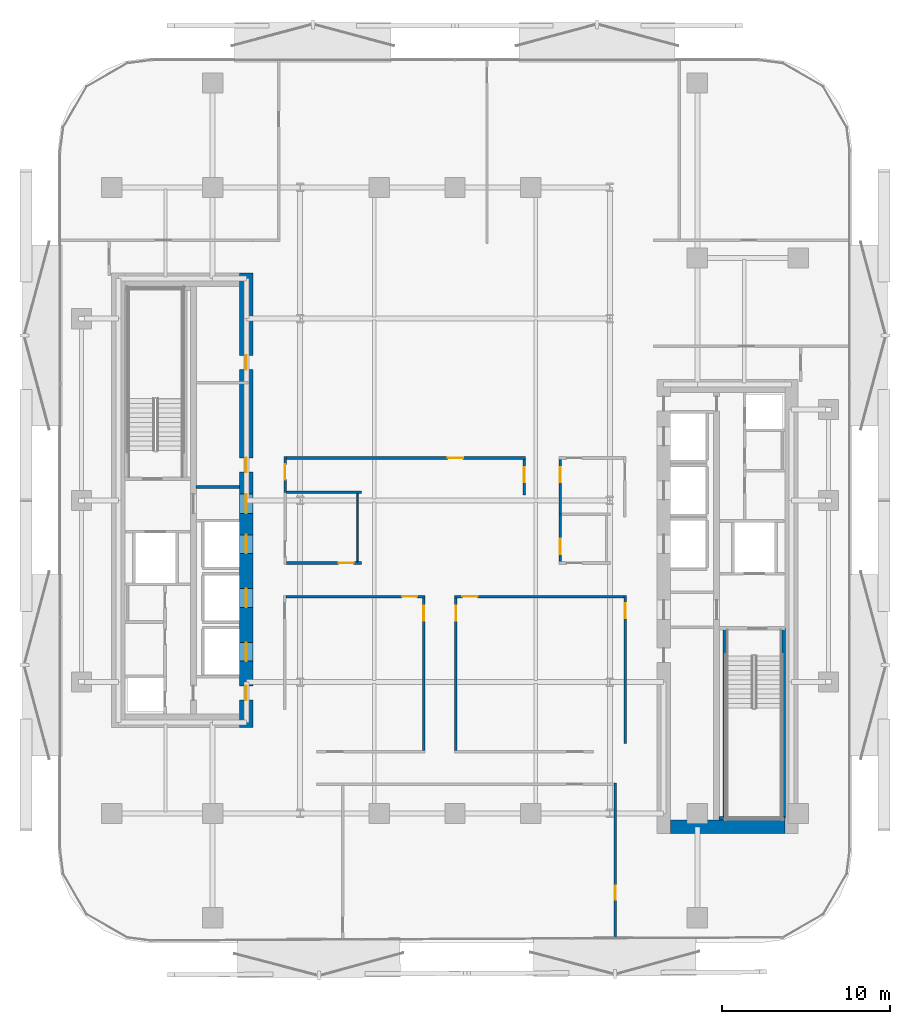
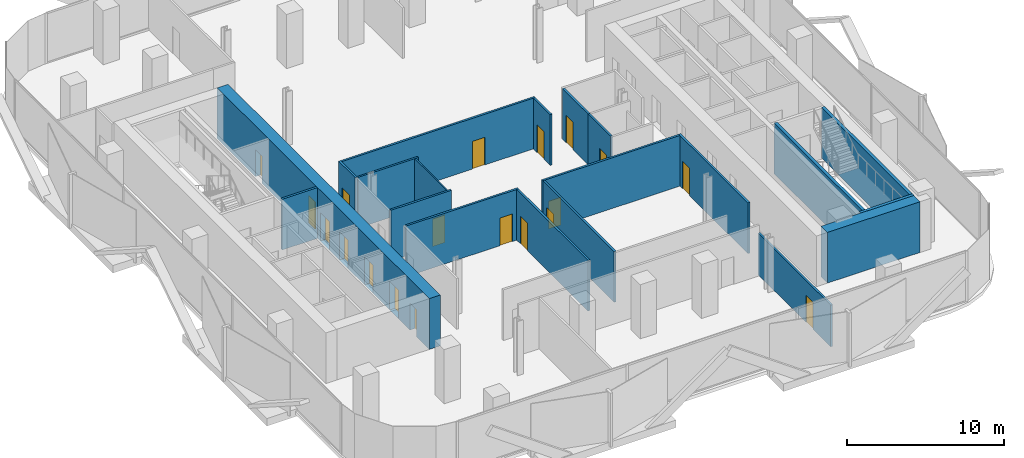
# One storey, part 4 of 15: 20 walls, 19 doors, 19 openings.
"""IFC4 building model written with IfcOpenShell, lengths in metres."""

import ifcopenshell
import ifcopenshell.guid

model = None  # the IFC model being written
_history = None  # IfcOwnerHistory: only IFC2X3 demands one
_inside = {}  # id of a spatial element -> (the spatial element, [elements in it])
_under = {}  # id of a project, library or spatial element -> (it, [spatial elements below it])
_declared = {}  # id of a project -> (the project, [libraries it declares])
_typed = {}  # id of a type object -> (the type object, [elements of that type])
_made_of = {}  # id of a material, layer set ... -> (it, [elements and type objects made of it])


def new_model(schema):
    """Start an empty IFC model of exactly this schema.

    Asked for "IFC4X3", IfcOpenShell would pick the latest addendum, in which some entities
    have other attributes; the version numbers below select the first issue.
    IFC2X3 requires an IfcOwnerHistory on every rooted entity: one is made here for all.
    """
    global model, _history
    if schema == "IFC4X3":
        model = ifcopenshell.file(schema_version=(4, 3, 0, 0))
    else:
        model = ifcopenshell.file(schema=schema)
    _inside.clear()
    _under.clear()
    _declared.clear()
    _typed.clear()
    _made_of.clear()
    _history = None
    if model.schema == "IFC2X3":
        org = make("IfcOrganization", Name="unknown")
        user = make(
            "IfcPersonAndOrganization",
            ThePerson=make("IfcPerson", FamilyName="unknown"),
            TheOrganization=org,
        )
        app = make(
            "IfcApplication",
            ApplicationDeveloper=org,
            Version="unknown",
            ApplicationFullName="unknown",
            ApplicationIdentifier="unknown",
        )
        _history = make(
            "IfcOwnerHistory",
            OwningUser=user,
            OwningApplication=app,
            ChangeAction="ADDED",
            CreationDate=0,
        )
    return model


def make(cls, **values):
    """One entity of the class cls with the attributes given. An attribute that is None is left unset."""
    return model.create_entity(
        cls, **{name: value for name, value in values.items() if value is not None}
    )


def rooted(cls, **values):
    """An entity with a GlobalId (a new one), such as an element, a storey or a relation."""
    return make(cls, GlobalId=ifcopenshell.guid.new(), OwnerHistory=_history, **values)


def si_unit(unit_type, name, prefix=None):
    """IfcSIUnit, for example si_unit("LENGTHUNIT", "METRE", prefix="MILLI")."""
    return make("IfcSIUnit", UnitType=unit_type, Prefix=prefix, Name=name)


def assignment(units):
    """IfcUnitAssignment: the units of a project."""
    return None if units is None else make("IfcUnitAssignment", Units=units)


def point(xyz):
    """IfcCartesianPoint."""
    return None if xyz is None else make("IfcCartesianPoint", Coordinates=xyz)


def direction(xyz):
    """IfcDirection."""
    return None if xyz is None else make("IfcDirection", DirectionRatios=xyz)


def frame(location, z_axis=None, x_axis=None):
    """IfcAxis2Placement3D, a coordinate frame: its origin and axes. An axis left out is left unset."""
    return make(
        "IfcAxis2Placement3D",
        Location=point(location),
        Axis=direction(z_axis),
        RefDirection=direction(x_axis),
    )


def frame_2d(location, x_axis=None):
    """IfcAxis2Placement2D, a coordinate frame in the plane: its origin and x axis."""
    return make(
        "IfcAxis2Placement2D", Location=point(location), RefDirection=direction(x_axis)
    )


def origin():
    """The frame at (0, 0, 0) with its axes left unset."""
    return frame((0.0, 0.0, 0.0))


def place(relative_to, where):
    """IfcLocalPlacement: puts the frame where relative to a parent placement (None: the world)."""
    return make(
        "IfcLocalPlacement", PlacementRelTo=relative_to, RelativePlacement=where
    )


def context(
    kind, dimensions, precision=None, world=None, true_north=None, identifier=None
):
    """IfcGeometricRepresentationContext, for example the 3D "Model" context."""
    return make(
        "IfcGeometricRepresentationContext",
        ContextIdentifier=identifier,
        ContextType=kind,
        CoordinateSpaceDimension=dimensions,
        Precision=precision,
        WorldCoordinateSystem=world,
        TrueNorth=true_north,
    )


def subcontext(parent, identifier, kind, view, scale=None):
    """IfcGeometricRepresentationSubContext, for example "Body" below "Model"."""
    return make(
        "IfcGeometricRepresentationSubContext",
        ContextIdentifier=identifier,
        ContextType=kind,
        ParentContext=parent,
        TargetScale=scale,
        TargetView=view,
    )


def project(units=None, contexts=None):
    """IfcProject with its units and contexts."""
    return rooted(
        "IfcProject",
        Name="project",
        RepresentationContexts=contexts,
        UnitsInContext=assignment(units),
    )


def spatial(cls, under=None, at=None, **own):
    """A site, building, storey or space (cls), placed at a placement, below another one or the project."""
    s = rooted(cls, ObjectPlacement=at, **own)
    if under is not None:
        _under.setdefault(under.id(), (under, []))[1].append(s)
    return s


def profile(cls, at=None, kind="AREA", **sizes):
    """A parametric profile (cls). Its sizes go by their IFC names, for example OverallWidth=200.0."""
    return make(cls, ProfileType=kind, Position=at, **sizes)


def rectangle(**sizes):
    """IfcRectangleProfileDef."""
    return profile("IfcRectangleProfileDef", **sizes)


def extrude(swept, where, along, depth):
    """IfcExtrudedAreaSolid: the profile swept, set in the frame where, extruded along a direction by depth."""
    return make(
        "IfcExtrudedAreaSolid",
        SweptArea=swept,
        Position=where,
        ExtrudedDirection=direction(along),
        Depth=depth,
    )


def shape(context_of_items, identifier, shape_type, items):
    """IfcShapeRepresentation: the items that make up one representation, for example the "Body"."""
    return make(
        "IfcShapeRepresentation",
        ContextOfItems=context_of_items,
        RepresentationIdentifier=identifier,
        RepresentationType=shape_type,
        Items=items,
    )


def material(Name=None, Category=None):
    """IfcMaterial."""
    return make("IfcMaterial", Name=Name, Category=Category)


def layer(
    of_material, thickness, ventilated=None, Name=None, Category=None, Priority=None
):
    """IfcMaterialLayer: one layer of a wall or slab, of a material (None: an air gap)."""
    return make(
        "IfcMaterialLayer",
        Material=of_material,
        LayerThickness=thickness,
        IsVentilated=ventilated,
        Name=Name,
        Category=Category,
        Priority=Priority,
    )


def layer_set(layers, Name=None):
    """IfcMaterialLayerSet."""
    return make("IfcMaterialLayerSet", MaterialLayers=layers, LayerSetName=Name)


def made_of(thing, what):
    """Note that an element or type object is made of a material, layer set ...; save() writes the relation."""
    if what is not None:
        _made_of.setdefault(what.id(), (what, []))[1].append(thing)
    return thing


def type_object(cls, material=None, **own):
    """A type object (cls), such as IfcWallType, which elements share."""
    return made_of(rooted(cls, **own), material)


def element(
    cls,
    number,
    at=None,
    inside=None,
    cuts=None,
    type_object=None,
    material=None,
    context=None,
    identifier="Body",
    shape_type=None,
    held_by="IfcProductDefinitionShape",
    body=None,
    shapes=None,
    **own,
):
    """One element of the class cls, such as IfcWall. Its Tag is "e" and its number.

    at: its placement. inside: the storey or other place that contains it. cuts: it is an
    opening in that element (IfcRelVoidsElement). A single representation is given by context,
    identifier, shape_type and body (its items); several are given by shapes. held_by: the class
    of the entity that holds the representations. save() writes the other relations.
    """
    e = rooted(cls, Tag="e%d" % number, ObjectPlacement=at, **own)
    if body is not None:
        shapes = [shape(context, identifier, shape_type, body)]
    if shapes is not None:
        e.Representation = make(held_by, Representations=shapes)
    if inside is not None:
        _inside.setdefault(inside.id(), (inside, []))[1].append(e)
    if cuts is not None:
        rooted(
            "IfcRelVoidsElement", RelatingBuildingElement=cuts, RelatedOpeningElement=e
        )
    if type_object is not None:
        _typed.setdefault(type_object.id(), (type_object, []))[1].append(e)
    return made_of(e, material)


def fill(opening, filler):
    """IfcRelFillsElement: the door or window that sits in an opening."""
    return rooted(
        "IfcRelFillsElement",
        RelatingOpeningElement=opening,
        RelatedBuildingElement=filler,
    )


def aggregate(whole, parts):
    """IfcRelAggregates: a whole, such as a stair, and the parts it consists of."""
    return rooted("IfcRelAggregates", RelatingObject=whole, RelatedObjects=parts)


def save(model, path):
    """Write the relations noted so far, then the file.

    IfcRelAggregates (storeys below a building ...), IfcRelContainedInSpatialStructure (elements
    in a storey), IfcRelDefinesByType, IfcRelAssociatesMaterial and IfcRelDeclares: one each for
    every whole, place, type object, material and project.
    """
    for whole, parts in _under.values():
        aggregate(whole, parts)
    for where, things in _inside.values():
        rooted(
            "IfcRelContainedInSpatialStructure",
            RelatedElements=things,
            RelatingStructure=where,
        )
    for kind, things in _typed.values():
        rooted("IfcRelDefinesByType", RelatedObjects=things, RelatingType=kind)
    for what, things in _made_of.values():
        rooted("IfcRelAssociatesMaterial", RelatedObjects=things, RelatingMaterial=what)
    for by, libraries in _declared.values():
        rooted("IfcRelDeclares", RelatingContext=by, RelatedDefinitions=libraries)
    model.write(path)


model = new_model("IFC4")

# Units and contexts
model_context = context("Model", 3, precision=1e-05, world=origin(), true_north=direction((0.0, 1.0)))
body_context = subcontext(model_context, "Body", "Model", "MODEL_VIEW")
ifc_project = project(units=[si_unit("LENGTHUNIT", "METRE"), si_unit("AREAUNIT", "SQUARE_METRE"), si_unit("VOLUMEUNIT", "CUBIC_METRE"), si_unit("PLANEANGLEUNIT", "RADIAN"), si_unit("MASSUNIT", "GRAM", prefix="KILO")], contexts=[model_context])

# Site, building, storey
site_placement = place(None, origin())
site = spatial("IfcSite", under=ifc_project, at=site_placement, CompositionType="ELEMENT")
building_placement = place(site_placement, origin())
building = spatial("IfcBuilding", under=site, at=building_placement, Name="Khairoan Windgate Tower", CompositionType="ELEMENT")
storey_placement = place(building_placement, frame((0.0, 0.0, 126.800048828125)))
storey = spatial("IfcBuildingStorey", under=building, at=storey_placement, Name="L29", CompositionType="ELEMENT", Elevation=126.800048828125)

# Walls
ifc_material_1 = material(Name="Moisture-Resistant Gypsum Partition", Category="gypsum")
ifc_layer_1 = layer(ifc_material_1, 0.10009765625, Name="Moisture-Resistant Gypsum Partition")
ifc_layer_set_1 = layer_set([ifc_layer_1], Name="Moisture-Resistant Gypsum Partition")
wall_type_1 = type_object("IfcWallType", Name="Bathroom Wet-Area Partition Wall", PredefinedType="PARTITIONING", material=ifc_layer_set_1)
wall_1_placement = place(storey_placement, frame((-5.800048828125, 0.409912109375, 0.0), z_axis=(0.0, 0.0, 1.0), x_axis=(0.0, -1.0, 0.0)))
element("IfcWall", 1, at=wall_1_placement, inside=storey, type_object=wall_type_1, Name="L29 Wet Room Side Wall 051", PredefinedType="PARTITIONING", context=body_context, shape_type="SweptSolid", body=[
    extrude(rectangle(XDim=4.054931640625, YDim=0.10009765625, at=frame_2d((2.02734375, 0.0))), origin(), (0.0, 0.0, 1.0), 3.93994140625),
])
ifc_material_2 = material(Name="Concrete C40/50", Category="concrete")
ifc_layer_2 = layer(ifc_material_2, 0.159912109375, Name="Concrete C40/50")
ifc_layer_set_2 = layer_set([ifc_layer_2], Name="Concrete C40/50")
wall_type_2 = type_object("IfcWallType", Name="Core and Hoistway Enclosure Wall", PredefinedType="STANDARD", material=ifc_layer_set_2)
wall_2_placement = place(storey_placement, frame((-15.39990234375, 0.800048828125, 0.0), z_axis=(0.0, 0.0, 1.0), x_axis=(1.0, 0.0, 0.0)))
element("IfcWall", 2, at=wall_2_placement, inside=storey, type_object=wall_type_2, Name="L29 Core Shaft Wall SW-WV1-L29", PredefinedType="STANDARD", context=body_context, shape_type="SweptSolid", body=[
    extrude(rectangle(XDim=2.599853515625, YDim=0.159912109375, at=frame_2d((1.2998046875, 0.0))), origin(), (0.0, 0.0, 1.0), 3.93994140625),
])

# Wall, opening, door
ifc_material_3 = material(Name="Acoustic Fire-Rated Gypsum Partition", Category="gypsum")
ifc_layer_3 = layer(ifc_material_3, 0.139892578125, Name="Acoustic Fire-Rated Gypsum Partition")
ifc_layer_set_3 = layer_set([ifc_layer_3], Name="Acoustic Fire-Rated Gypsum Partition")
wall_type_3 = type_object("IfcWallType", Name="Inter-Tenancy Compartment Wall", PredefinedType="PARTITIONING", material=ifc_layer_set_3)
wall_3_placement = place(storey_placement, frame((9.52001953125, -26.02001953125, 0.0), z_axis=(0.0, 0.0, 1.0), x_axis=(0.0, 1.0, 0.0)))
wall_3 = element("IfcWall", 3, at=wall_3_placement, inside=storey, type_object=wall_type_3, Name="L29 Interior Partition 045", PredefinedType="PARTITIONING", context=body_context, shape_type="SweptSolid", body=[
    extrude(rectangle(XDim=9.235107421875, YDim=0.139892578125, at=frame_2d((4.61767578125, 0.0))), origin(), (0.0, 0.0, 1.0), 3.239990234375),
])
opening_1_placement = place(wall_3_placement, frame((2.27587890625, 0.0, 0.0)))
opening_1 = element("IfcOpeningElement", 4, at=opening_1_placement, cuts=wall_3, Name="Opening FD-SRV", PredefinedType="OPENING", context=body_context, shape_type="SweptSolid", body=[
    extrude(rectangle(XDim=0.85009765625, YDim=2.10009765625, at=frame_2d((0.425048828125, 1.050048828125))), frame((0.0, 0.079833984375, 0.0), z_axis=(0.0, -1.0, 0.0), x_axis=(1.0, 0.0, 0.0)), (0.0, 0.0, 1.0), 0.159912109375),
])
ifc_material_4 = material(Name="Steel S355", Category="steel")
door_type_1 = type_object("IfcDoorType", Name="Core Service and Riser Fire Door FD-SRV 850x2100", OperationType="NOTDEFINED", PredefinedType="DOOR", material=ifc_material_4)
door_1_placement = place(opening_1_placement, origin())
door_1 = element("IfcDoor", 5, at=door_1_placement, inside=storey, type_object=door_type_1, Name="L29 L29-45-L29-46 Door", OperationType="SINGLE_SWING_RIGHT", OverallHeight=2.10009765625, OverallWidth=0.85009765625, PredefinedType="DOOR", context=body_context, shape_type="SweptSolid", body=[
    extrude(rectangle(XDim=0.85009765625, YDim=2.10009765625, at=frame_2d((0.425048828125, 1.050048828125))), frame((0.0, 0.02490234375, 0.0), z_axis=(0.0, -1.0, 0.0), x_axis=(1.0, 0.0, 0.0)), (0.0, 0.0, 1.0), 0.050048828125),
])
fill(opening_1, door_1)

# Wall
wall_4_placement = place(storey_placement, frame((-10.02490234375, 0.47998046875, 0.0), z_axis=(0.0, 0.0, 1.0), x_axis=(1.0, 0.0, 0.0)))
element("IfcWall", 6, at=wall_4_placement, inside=storey, type_object=wall_type_3, Name="L29 Interior Partition 047", PredefinedType="PARTITIONING", context=body_context, shape_type="SweptSolid", body=[
    extrude(rectangle(XDim=4.46484375, YDim=0.139892578125, at=frame_2d((2.232421875, 0.0))), origin(), (0.0, 0.0, 1.0), 3.93994140625),
])

# Wall, opening, door
ifc_material_5 = material(Name="Acoustic Fire-Rated Gypsum Partition", Category="gypsum")
ifc_layer_4 = layer(ifc_material_5, 0.14990234375, Name="Acoustic Fire-Rated Gypsum Partition")
ifc_layer_set_4 = layer_set([ifc_layer_4], Name="Acoustic Fire-Rated Gypsum Partition")
wall_type_4 = type_object("IfcWallType", Name="Rated Corridor Partition Wall", PredefinedType="PARTITIONING", material=ifc_layer_set_4)
wall_5_placement = place(storey_placement, frame((-10.10009765625, 0.47998046875, 0.0), z_axis=(0.0, 0.0, 1.0), x_axis=(0.0, 1.0, 0.0)))
wall_5 = element("IfcWall", 7, at=wall_5_placement, inside=storey, type_object=wall_type_4, Name="L29 Interior Partition 014", PredefinedType="PARTITIONING", context=body_context, shape_type="SweptSolid", body=[
    extrude(rectangle(XDim=2.114990234375, YDim=0.14990234375, at=frame_2d((1.0576171875, 0.0))), origin(), (0.0, 0.0, 1.0), 3.93994140625),
])
opening_2_placement = place(wall_5_placement, frame((0.7548828125, 0.0, 0.0)))
opening_2 = element("IfcOpeningElement", 8, at=opening_2_placement, cuts=wall_5, Name="Opening FD-ENT", PredefinedType="OPENING", context=body_context, shape_type="SweptSolid", body=[
    extrude(rectangle(XDim=0.89990234375, YDim=2.14990234375, at=frame_2d((0.449951171875, 1.074951171875))), frame((0.0, 0.0849609375, 0.0), z_axis=(0.0, -1.0, 0.0), x_axis=(1.0, 0.0, 0.0)), (0.0, 0.0, 1.0), 0.169921875),
])
ifc_material_6 = material(Name="Timber Fire-Rated Core", Category="wood")
door_type_2 = type_object("IfcDoorType", Name="Unit and Office Fire Entrance Door FD-ENT 900x2150", OperationType="NOTDEFINED", PredefinedType="DOOR", material=ifc_material_6)
door_2_placement = place(opening_2_placement, origin())
door_2 = element("IfcDoor", 9, at=door_2_placement, inside=storey, type_object=door_type_2, Name="L29 L29-28-L29-50 Door", OperationType="SINGLE_SWING_LEFT", OverallHeight=2.14990234375, OverallWidth=0.89990234375, PredefinedType="DOOR", context=body_context, shape_type="SweptSolid", body=[
    extrude(rectangle(XDim=0.89990234375, YDim=2.14990234375, at=frame_2d((0.449951171875, 1.074951171875))), frame((0.0, 0.02490234375, 0.0), z_axis=(0.0, -1.0, 0.0), x_axis=(1.0, 0.0, 0.0)), (0.0, 0.0, 1.0), 0.050048828125),
])
fill(opening_2, door_2)

wall_6_placement = place(storey_placement, frame((10.125, -14.43994140625, 0.0), z_axis=(0.0, 0.0, 1.0), x_axis=(0.0, 1.0, 0.0)))
wall_6 = element("IfcWall", 10, at=wall_6_placement, inside=storey, type_object=wall_type_4, Name="L29 Interior Partition 017", PredefinedType="PARTITIONING", context=body_context, shape_type="SweptSolid", body=[
    extrude(rectangle(XDim=8.800048828125, YDim=0.14990234375, at=frame_2d((4.39990234375, 0.0))), origin(), (0.0, 0.0, 1.0), 3.93994140625),
])
opening_3_placement = place(wall_6_placement, frame((7.43994140625, 0.0, 0.0)))
opening_3 = element("IfcOpeningElement", 11, at=opening_3_placement, cuts=wall_6, Name="Opening FD-ENT", PredefinedType="OPENING", context=body_context, shape_type="SweptSolid", body=[
    extrude(rectangle(XDim=0.89990234375, YDim=2.14990234375, at=frame_2d((0.449951171875, 1.074951171875))), frame((0.0, 0.0849609375, 0.0), z_axis=(0.0, -1.0, 0.0), x_axis=(1.0, 0.0, 0.0)), (0.0, 0.0, 1.0), 0.169921875),
])
door_3_placement = place(opening_3_placement, origin())
door_3 = element("IfcDoor", 12, at=door_3_placement, inside=storey, type_object=door_type_2, Name="L29 L29-29-L29-52 Door", OperationType="SINGLE_SWING_RIGHT", OverallHeight=2.14990234375, OverallWidth=0.89990234375, PredefinedType="DOOR", context=body_context, shape_type="SweptSolid", body=[
    extrude(rectangle(XDim=0.89990234375, YDim=2.14990234375, at=frame_2d((0.449951171875, 1.074951171875))), frame((0.0, 0.02490234375, 0.0), z_axis=(0.0, -1.0, 0.0), x_axis=(1.0, 0.0, 0.0)), (0.0, 0.0, 1.0), 0.050048828125),
])
fill(opening_3, door_3)

wall_7_placement = place(storey_placement, frame((-10.02490234375, 2.52001953125, 0.0), z_axis=(0.0, 0.0, 1.0), x_axis=(1.0, 0.0, 0.0)))
wall_7 = element("IfcWall", 13, at=wall_7_placement, inside=storey, type_object=wall_type_4, Name="L29 Interior Partition 019", PredefinedType="PARTITIONING", context=body_context, shape_type="SweptSolid", body=[
    extrude(rectangle(XDim=14.219970703125, YDim=0.14990234375, at=frame_2d((7.10986328125, 0.0))), origin(), (0.0, 0.0, 1.0), 3.93994140625),
])
opening_4_placement = place(wall_7_placement, frame((9.607421875, 0.0, 0.0)))
opening_4 = element("IfcOpeningElement", 14, at=opening_4_placement, cuts=wall_7, Name="Opening FD-ENT", PredefinedType="OPENING", context=body_context, shape_type="SweptSolid", body=[
    extrude(rectangle(XDim=0.89990234375, YDim=2.14990234375, at=frame_2d((0.449951171875, 1.074951171875))), frame((0.0, 0.0849609375, 0.0), z_axis=(0.0, -1.0, 0.0), x_axis=(1.0, 0.0, 0.0)), (0.0, 0.0, 1.0), 0.169921875),
])
door_4_placement = place(opening_4_placement, origin())
door_4 = element("IfcDoor", 15, at=door_4_placement, inside=storey, type_object=door_type_2, Name="L29 L29-30-L29-50 Door", OperationType="SINGLE_SWING_RIGHT", OverallHeight=2.14990234375, OverallWidth=0.89990234375, PredefinedType="DOOR", context=body_context, shape_type="SweptSolid", body=[
    extrude(rectangle(XDim=0.89990234375, YDim=2.14990234375, at=frame_2d((0.449951171875, 1.074951171875))), frame((0.0, 0.02490234375, 0.0), z_axis=(0.0, -1.0, 0.0), x_axis=(1.0, 0.0, 0.0)), (0.0, 0.0, 1.0), 0.050048828125),
])
fill(opening_4, door_4)

wall_8_placement = place(storey_placement, frame((-10.02490234375, -3.719970703125, 0.0), z_axis=(0.0, 0.0, 1.0), x_axis=(1.0, 0.0, 0.0)))
wall_8 = element("IfcWall", 16, at=wall_8_placement, inside=storey, type_object=wall_type_4, Name="L29 Interior Partition 021", PredefinedType="PARTITIONING", context=body_context, shape_type="SweptSolid", body=[
    extrude(rectangle(XDim=4.46484375, YDim=0.14990234375, at=frame_2d((2.232421875, 0.0))), origin(), (0.0, 0.0, 1.0), 3.93994140625),
])
opening_5_placement = place(wall_8_placement, frame((3.10498046875, 0.0, 0.0)))
opening_5 = element("IfcOpeningElement", 17, at=opening_5_placement, cuts=wall_8, Name="Opening FD-ENT", PredefinedType="OPENING", context=body_context, shape_type="SweptSolid", body=[
    extrude(rectangle(XDim=0.89990234375, YDim=2.14990234375, at=frame_2d((0.449951171875, 1.074951171875))), frame((0.0, 0.0849609375, 0.0), z_axis=(0.0, -1.0, 0.0), x_axis=(1.0, 0.0, 0.0)), (0.0, 0.0, 1.0), 0.169921875),
])
door_5_placement = place(opening_5_placement, origin())
door_5 = element("IfcDoor", 18, at=door_5_placement, inside=storey, type_object=door_type_2, Name="L29 L29-31-L29-49 Door", OperationType="SINGLE_SWING_RIGHT", OverallHeight=2.14990234375, OverallWidth=0.89990234375, PredefinedType="DOOR", context=body_context, shape_type="SweptSolid", body=[
    extrude(rectangle(XDim=0.89990234375, YDim=2.14990234375, at=frame_2d((0.449951171875, 1.074951171875))), frame((0.0, 0.02490234375, 0.0), z_axis=(0.0, -1.0, 0.0), x_axis=(1.0, 0.0, 0.0)), (0.0, 0.0, 1.0), 0.050048828125),
])
fill(opening_5, door_5)

wall_9_placement = place(storey_placement, frame((-10.050048828125, -5.715087890625, 0.0), z_axis=(0.0, 0.0, 1.0), x_axis=(1.0, 0.0, 0.0)))
wall_9 = element("IfcWall", 19, at=wall_9_placement, inside=storey, type_object=wall_type_4, Name="L29 Interior Partition 022", PredefinedType="PARTITIONING", context=body_context, shape_type="SweptSolid", body=[
    extrude(rectangle(XDim=8.26513671875, YDim=0.14990234375, at=frame_2d((4.132568359375, 0.0))), origin(), (0.0, 0.0, 1.0), 3.93994140625),
])
opening_6_placement = place(wall_9_placement, frame((6.905029296875, 0.0, 0.0)))
opening_6 = element("IfcOpeningElement", 20, at=opening_6_placement, cuts=wall_9, Name="Opening FD-ENT", PredefinedType="OPENING", context=body_context, shape_type="SweptSolid", body=[
    extrude(rectangle(XDim=0.89990234375, YDim=2.14990234375, at=frame_2d((0.449951171875, 1.074951171875))), frame((0.0, 0.0849609375, 0.0), z_axis=(0.0, -1.0, 0.0), x_axis=(1.0, 0.0, 0.0)), (0.0, 0.0, 1.0), 0.169921875),
])
door_6_placement = place(opening_6_placement, origin())
door_6 = element("IfcDoor", 21, at=door_6_placement, inside=storey, type_object=door_type_2, Name="L29 L29-31-L29-51 Door", OperationType="SINGLE_SWING_LEFT", OverallHeight=2.14990234375, OverallWidth=0.89990234375, PredefinedType="DOOR", context=body_context, shape_type="SweptSolid", body=[
    extrude(rectangle(XDim=0.89990234375, YDim=2.14990234375, at=frame_2d((0.449951171875, 1.074951171875))), frame((0.0, 0.02490234375, 0.0), z_axis=(0.0, -1.0, 0.0), x_axis=(1.0, 0.0, 0.0)), (0.0, 0.0, 1.0), 0.050048828125),
])
fill(opening_6, door_6)

wall_10_placement = place(storey_placement, frame((-0.014892578125, -5.715087890625, 0.0), z_axis=(0.0, 0.0, 1.0), x_axis=(1.0, 0.0, 0.0)))
wall_10 = element("IfcWall", 22, at=wall_10_placement, inside=storey, type_object=wall_type_4, Name="L29 Interior Partition 023", PredefinedType="PARTITIONING", context=body_context, shape_type="SweptSolid", body=[
    extrude(rectangle(XDim=10.06494140625, YDim=0.14990234375, at=frame_2d((5.032470703125, 0.0))), origin(), (0.0, 0.0, 1.0), 3.93994140625),
])
opening_7_placement = place(wall_10_placement, frame((0.4599609375, 0.0, 0.0)))
opening_7 = element("IfcOpeningElement", 23, at=opening_7_placement, cuts=wall_10, Name="Opening FD-ENT", PredefinedType="OPENING", context=body_context, shape_type="SweptSolid", body=[
    extrude(rectangle(XDim=0.89990234375, YDim=2.14990234375, at=frame_2d((0.449951171875, 1.074951171875))), frame((0.0, 0.0849609375, 0.0), z_axis=(0.0, -1.0, 0.0), x_axis=(1.0, 0.0, 0.0)), (0.0, 0.0, 1.0), 0.169921875),
])
door_7_placement = place(opening_7_placement, origin())
door_7 = element("IfcDoor", 24, at=door_7_placement, inside=storey, type_object=door_type_2, Name="L29 L29-31-L29-52 Door", OperationType="SINGLE_SWING_RIGHT", OverallHeight=2.14990234375, OverallWidth=0.89990234375, PredefinedType="DOOR", context=body_context, shape_type="SweptSolid", body=[
    extrude(rectangle(XDim=0.89990234375, YDim=2.14990234375, at=frame_2d((0.449951171875, 1.074951171875))), frame((0.0, 0.02490234375, 0.0), z_axis=(0.0, -1.0, 0.0), x_axis=(1.0, 0.0, 0.0)), (0.0, 0.0, 1.0), 0.050048828125),
])
fill(opening_7, door_7)

wall_11_placement = place(storey_placement, frame((6.2548828125, -3.64501953125, 0.0), z_axis=(0.0, 0.0, 1.0), x_axis=(0.0, 1.0, 0.0)))
wall_11 = element("IfcWall", 25, at=wall_11_placement, inside=storey, type_object=wall_type_4, Name="L29 Interior Partition 024", PredefinedType="PARTITIONING", context=body_context, shape_type="SweptSolid", body=[
    extrude(rectangle(XDim=2.824951171875, YDim=0.14990234375, at=frame_2d((1.41259765625, 0.0))), origin(), (0.0, 0.0, 1.0), 3.93994140625),
])
opening_8_placement = place(wall_11_placement, frame((0.4599609375, 0.0, 0.0)))
opening_8 = element("IfcOpeningElement", 26, at=opening_8_placement, cuts=wall_11, Name="Opening FD-ENT", PredefinedType="OPENING", context=body_context, shape_type="SweptSolid", body=[
    extrude(rectangle(XDim=0.89990234375, YDim=2.14990234375, at=frame_2d((0.449951171875, 1.074951171875))), frame((0.0, 0.0849609375, 0.0), z_axis=(0.0, -1.0, 0.0), x_axis=(1.0, 0.0, 0.0)), (0.0, 0.0, 1.0), 0.169921875),
])
door_8_placement = place(opening_8_placement, origin())
door_8 = element("IfcDoor", 27, at=door_8_placement, inside=storey, type_object=door_type_2, Name="L29 L29-32-L29-47 Door", OperationType="SINGLE_SWING_LEFT", OverallHeight=2.14990234375, OverallWidth=0.89990234375, PredefinedType="DOOR", context=body_context, shape_type="SweptSolid", body=[
    extrude(rectangle(XDim=0.89990234375, YDim=2.14990234375, at=frame_2d((0.449951171875, 1.074951171875))), frame((0.0, 0.02490234375, 0.0), z_axis=(0.0, -1.0, 0.0), x_axis=(1.0, 0.0, 0.0)), (0.0, 0.0, 1.0), 0.050048828125),
])
fill(opening_8, door_8)

wall_12_placement = place(storey_placement, frame((6.2548828125, -0.820068359375, 0.0), z_axis=(0.0, 0.0, 1.0), x_axis=(0.0, 1.0, 0.0)))
wall_12 = element("IfcWall", 28, at=wall_12_placement, inside=storey, type_object=wall_type_4, Name="L29 Interior Partition 025", PredefinedType="PARTITIONING", context=body_context, shape_type="SweptSolid", body=[
    extrude(rectangle(XDim=3.26513671875, YDim=0.14990234375, at=frame_2d((1.632568359375, 0.0))), origin(), (0.0, 0.0, 1.0), 3.93994140625),
])
opening_9_placement = place(wall_12_placement, frame((1.905029296875, 0.0, 0.0)))
opening_9 = element("IfcOpeningElement", 29, at=opening_9_placement, cuts=wall_12, Name="Opening FD-ENT", PredefinedType="OPENING", context=body_context, shape_type="SweptSolid", body=[
    extrude(rectangle(XDim=0.89990234375, YDim=2.14990234375, at=frame_2d((0.449951171875, 1.074951171875))), frame((0.0, 0.0849609375, 0.0), z_axis=(0.0, -1.0, 0.0), x_axis=(1.0, 0.0, 0.0)), (0.0, 0.0, 1.0), 0.169921875),
])
door_9_placement = place(opening_9_placement, origin())
door_9 = element("IfcDoor", 30, at=door_9_placement, inside=storey, type_object=door_type_2, Name="L29 L29-32-L29-48 Door", OperationType="SINGLE_SWING_RIGHT", OverallHeight=2.14990234375, OverallWidth=0.89990234375, PredefinedType="DOOR", context=body_context, shape_type="SweptSolid", body=[
    extrude(rectangle(XDim=0.89990234375, YDim=2.14990234375, at=frame_2d((0.449951171875, 1.074951171875))), frame((0.0, 0.02490234375, 0.0), z_axis=(0.0, -1.0, 0.0), x_axis=(1.0, 0.0, 0.0)), (0.0, 0.0, 1.0), 0.050048828125),
])
fill(opening_9, door_9)

wall_13_placement = place(storey_placement, frame((4.1201171875, 0.320068359375, 0.0), z_axis=(0.0, 0.0, 1.0), x_axis=(0.0, 1.0, 0.0)))
wall_13 = element("IfcWall", 31, at=wall_13_placement, inside=storey, type_object=wall_type_4, Name="L29 Interior Partition 026", PredefinedType="PARTITIONING", context=body_context, shape_type="SweptSolid", body=[
    extrude(rectangle(XDim=2.125, YDim=0.14990234375, at=frame_2d((1.0625, 0.0))), origin(), (0.0, 0.0, 1.0), 3.93994140625),
])
opening_10_placement = place(wall_13_placement, frame((0.764892578125, 0.0, 0.0)))
opening_10 = element("IfcOpeningElement", 32, at=opening_10_placement, cuts=wall_13, Name="Opening FD-ENT", PredefinedType="OPENING", context=body_context, shape_type="SweptSolid", body=[
    extrude(rectangle(XDim=0.89990234375, YDim=2.14990234375, at=frame_2d((0.449951171875, 1.074951171875))), frame((0.0, 0.0849609375, 0.0), z_axis=(0.0, -1.0, 0.0), x_axis=(1.0, 0.0, 0.0)), (0.0, 0.0, 1.0), 0.169921875),
])
door_10_placement = place(opening_10_placement, origin())
door_10 = element("IfcDoor", 33, at=door_10_placement, inside=storey, type_object=door_type_2, Name="L29 L29-32-L29-50 Door", OperationType="SINGLE_SWING_LEFT", OverallHeight=2.14990234375, OverallWidth=0.89990234375, PredefinedType="DOOR", context=body_context, shape_type="SweptSolid", body=[
    extrude(rectangle(XDim=0.89990234375, YDim=2.14990234375, at=frame_2d((0.449951171875, 1.074951171875))), frame((0.0, 0.02490234375, 0.0), z_axis=(0.0, -1.0, 0.0), x_axis=(1.0, 0.0, 0.0)), (0.0, 0.0, 1.0), 0.050048828125),
])
fill(opening_10, door_10)

wall_14_placement = place(storey_placement, frame((-1.860107421875, -14.864990234375, 0.0), z_axis=(0.0, 0.0, 1.0), x_axis=(0.0, 1.0, 0.0)))
wall_14 = element("IfcWall", 34, at=wall_14_placement, inside=storey, type_object=wall_type_4, Name="L29 Interior Partition 035", PredefinedType="PARTITIONING", context=body_context, shape_type="SweptSolid", body=[
    extrude(rectangle(XDim=9.074951171875, YDim=0.14990234375, at=frame_2d((4.53759765625, 0.0))), origin(), (0.0, 0.0, 1.0), 3.93994140625),
])
opening_11_placement = place(wall_14_placement, frame((7.715087890625, 0.0, 0.0)))
opening_11 = element("IfcOpeningElement", 35, at=opening_11_placement, cuts=wall_14, Name="Opening FD-ENT", PredefinedType="OPENING", context=body_context, shape_type="SweptSolid", body=[
    extrude(rectangle(XDim=0.89990234375, YDim=2.14990234375, at=frame_2d((0.449951171875, 1.074951171875))), frame((0.0, 0.0849609375, 0.0), z_axis=(0.0, -1.0, 0.0), x_axis=(1.0, 0.0, 0.0)), (0.0, 0.0, 1.0), 0.169921875),
])
door_11_placement = place(opening_11_placement, origin())
door_11 = element("IfcDoor", 36, at=door_11_placement, inside=storey, type_object=door_type_2, Name="L29 L29-36-L29-51 Door", OperationType="SINGLE_SWING_RIGHT", OverallHeight=2.14990234375, OverallWidth=0.89990234375, PredefinedType="DOOR", context=body_context, shape_type="SweptSolid", body=[
    extrude(rectangle(XDim=0.89990234375, YDim=2.14990234375, at=frame_2d((0.449951171875, 1.074951171875))), frame((0.0, 0.02490234375, 0.0), z_axis=(0.0, -1.0, 0.0), x_axis=(1.0, 0.0, 0.0)), (0.0, 0.0, 1.0), 0.050048828125),
])
fill(opening_11, door_11)

wall_15_placement = place(storey_placement, frame((0.06005859375, -14.864990234375, 0.0), z_axis=(0.0, 0.0, 1.0), x_axis=(0.0, 1.0, 0.0)))
wall_15 = element("IfcWall", 37, at=wall_15_placement, inside=storey, type_object=wall_type_4, Name="L29 Interior Partition 036", PredefinedType="PARTITIONING", context=body_context, shape_type="SweptSolid", body=[
    extrude(rectangle(XDim=9.074951171875, YDim=0.14990234375, at=frame_2d((4.53759765625, 0.0))), origin(), (0.0, 0.0, 1.0), 3.93994140625),
])
opening_12_placement = place(wall_15_placement, frame((7.715087890625, 0.0, 0.0)))
opening_12 = element("IfcOpeningElement", 38, at=opening_12_placement, cuts=wall_15, Name="Opening FD-ENT", PredefinedType="OPENING", context=body_context, shape_type="SweptSolid", body=[
    extrude(rectangle(XDim=0.89990234375, YDim=2.14990234375, at=frame_2d((0.449951171875, 1.074951171875))), frame((0.0, 0.0849609375, 0.0), z_axis=(0.0, -1.0, 0.0), x_axis=(1.0, 0.0, 0.0)), (0.0, 0.0, 1.0), 0.169921875),
])
door_12_placement = place(opening_12_placement, origin())
door_12 = element("IfcDoor", 39, at=door_12_placement, inside=storey, type_object=door_type_2, Name="L29 L29-36-L29-52 Door", OperationType="SINGLE_SWING_LEFT", OverallHeight=2.14990234375, OverallWidth=0.89990234375, PredefinedType="DOOR", context=body_context, shape_type="SweptSolid", body=[
    extrude(rectangle(XDim=0.89990234375, YDim=2.14990234375, at=frame_2d((0.449951171875, 1.074951171875))), frame((0.0, 0.02490234375, 0.0), z_axis=(0.0, -1.0, 0.0), x_axis=(1.0, 0.0, 0.0)), (0.0, 0.0, 1.0), 0.050048828125),
])
fill(opening_12, door_12)

# Wall
ifc_material_7 = material(Name="Concrete C70/85", Category="concrete")
ifc_layer_5 = layer(ifc_material_7, 0.800048828125, Name="Concrete C70/85")
ifc_layer_set_5 = layer_set([ifc_layer_5], Name="Concrete C70/85")
wall_type_5 = type_object("IfcWallType", Name="Shear Wall CW-E1 800mm", PredefinedType="SHEAR", material=ifc_layer_set_5)
wall_16_placement = place(storey_placement, frame((12.800048828125, -19.39990234375, 0.0), z_axis=(0.0, 0.0, 1.0), x_axis=(1.0, 0.0, 0.0)))
element("IfcWall", 40, at=wall_16_placement, inside=storey, type_object=wall_type_5, Name="E Core South Shear Wall L29", PredefinedType="SHEAR", context=body_context, shape_type="SweptSolid", body=[
    extrude(rectangle(XDim=6.800048828125, YDim=0.800048828125, at=frame_2d((3.39990234375, 0.0))), origin(), (0.0, 0.0, 1.0), 3.93994140625),
])

# Wall, openings, doors
ifc_material_8 = material(Name="Concrete C70/85", Category="concrete")
ifc_layer_6 = layer(ifc_material_8, 0.800048828125, Name="Concrete C70/85")
ifc_layer_set_6 = layer_set([ifc_layer_6], Name="Concrete C70/85")
wall_type_6 = type_object("IfcWallType", Name="Shear Wall CW-W1 800mm", PredefinedType="SHEAR", material=ifc_layer_set_6)
wall_17_placement = place(storey_placement, frame((-12.39990234375, -13.5, 0.0), z_axis=(0.0, 0.0, 1.0), x_axis=(0.0, 1.0, 0.0)))
wall_17 = element("IfcWall", 41, at=wall_17_placement, inside=storey, type_object=wall_type_6, Name="W Core East Shear Wall L29", PredefinedType="SHEAR", context=body_context, shape_type="SweptSolid", body=[
    extrude(rectangle(XDim=27.0, YDim=0.800048828125, at=frame_2d((13.5, 0.0))), origin(), (0.0, 0.0, 1.0), 3.93994140625),
])
opening_13_placement = place(wall_17_placement, frame((10.35009765625, 0.0, 0.0)))
opening_13 = element("IfcOpeningElement", 42, at=opening_13_placement, cuts=wall_17, Name="Opening LD-PL", PredefinedType="OPENING", context=body_context, shape_type="SweptSolid", body=[
    extrude(rectangle(XDim=1.10009765625, YDim=2.199951171875, at=frame_2d((0.550048828125, 1.10009765625))), frame((0.0, 0.409912109375, 0.0), z_axis=(0.0, -1.0, 0.0), x_axis=(1.0, 0.0, 0.0)), (0.0, 0.0, 1.0), 0.820068359375),
])
opening_14_placement = place(wall_17_placement, frame((7.14990234375, 0.0, 0.0)))
opening_14 = element("IfcOpeningElement", 43, at=opening_14_placement, cuts=wall_17, Name="Opening LD-PL", PredefinedType="OPENING", context=body_context, shape_type="SweptSolid", body=[
    extrude(rectangle(XDim=1.10009765625, YDim=2.199951171875, at=frame_2d((0.550048828125, 1.10009765625))), frame((0.0, 0.409912109375, 0.0), z_axis=(0.0, -1.0, 0.0), x_axis=(1.0, 0.0, 0.0)), (0.0, 0.0, 1.0), 0.820068359375),
])
opening_15_placement = place(wall_17_placement, frame((3.949951171875, 0.0, 0.0)))
opening_15 = element("IfcOpeningElement", 44, at=opening_15_placement, cuts=wall_17, Name="Opening LD-PL", PredefinedType="OPENING", context=body_context, shape_type="SweptSolid", body=[
    extrude(rectangle(XDim=1.10009765625, YDim=2.199951171875, at=frame_2d((0.550048828125, 1.10009765625))), frame((0.0, 0.409912109375, 0.0), z_axis=(0.0, -1.0, 0.0), x_axis=(1.0, 0.0, 0.0)), (0.0, 0.0, 1.0), 0.820068359375),
])
opening_16_placement = place(wall_17_placement, frame((15.175048828125, 0.0, 0.0)))
opening_16 = element("IfcOpeningElement", 45, at=opening_16_placement, cuts=wall_17, Name="Opening FD-SRV", PredefinedType="OPENING", context=body_context, shape_type="SweptSolid", body=[
    extrude(rectangle(XDim=0.85009765625, YDim=2.10009765625, at=frame_2d((0.425048828125, 1.050048828125))), frame((0.0, 0.409912109375, 0.0), z_axis=(0.0, -1.0, 0.0), x_axis=(1.0, 0.0, 0.0)), (0.0, 0.0, 1.0), 0.820068359375),
])
opening_17_placement = place(wall_17_placement, frame((21.27490234375, 0.0, 0.0)))
opening_17 = element("IfcOpeningElement", 46, at=opening_17_placement, cuts=wall_17, Name="Opening FD-SRV", PredefinedType="OPENING", context=body_context, shape_type="SweptSolid", body=[
    extrude(rectangle(XDim=0.85009765625, YDim=2.10009765625, at=frame_2d((0.425048828125, 1.050048828125))), frame((0.0, 0.409912109375, 0.0), z_axis=(0.0, -1.0, 0.0), x_axis=(1.0, 0.0, 0.0)), (0.0, 0.0, 1.0), 0.820068359375),
])
opening_18_placement = place(wall_17_placement, frame((12.72509765625, 0.0, 0.0)))
opening_18 = element("IfcOpeningElement", 47, at=opening_18_placement, cuts=wall_17, Name="Opening FD-FFL", PredefinedType="OPENING", context=body_context, shape_type="SweptSolid", body=[
    extrude(rectangle(XDim=1.14990234375, YDim=2.199951171875, at=frame_2d((0.574951171875, 1.10009765625))), frame((0.0, 0.409912109375, 0.0), z_axis=(0.0, -1.0, 0.0), x_axis=(1.0, 0.0, 0.0)), (0.0, 0.0, 1.0), 0.820068359375),
])
opening_19_placement = place(wall_17_placement, frame((1.625, 0.0, 0.0)))
opening_19 = element("IfcOpeningElement", 48, at=opening_19_placement, cuts=wall_17, Name="Opening FD-SRV", PredefinedType="OPENING", context=body_context, shape_type="SweptSolid", body=[
    extrude(rectangle(XDim=0.85009765625, YDim=2.10009765625, at=frame_2d((0.425048828125, 1.050048828125))), frame((0.0, 0.409912109375, 0.0), z_axis=(0.0, -1.0, 0.0), x_axis=(1.0, 0.0, 0.0)), (0.0, 0.0, 1.0), 0.820068359375),
])
door_13_placement = place(opening_16_placement, origin())
door_13 = element("IfcDoor", 49, at=door_13_placement, inside=storey, type_object=door_type_1, Name="L29 Upper Core Room Door B1-1", OperationType="SINGLE_SWING_RIGHT", OverallHeight=2.10009765625, OverallWidth=0.85009765625, PredefinedType="DOOR", context=body_context, shape_type="SweptSolid", body=[
    extrude(rectangle(XDim=0.85009765625, YDim=2.10009765625, at=frame_2d((0.425048828125, 1.050048828125))), frame((0.0, 0.02490234375, 0.0), z_axis=(0.0, -1.0, 0.0), x_axis=(1.0, 0.0, 0.0)), (0.0, 0.0, 1.0), 0.050048828125),
])
fill(opening_16, door_13)
door_14_placement = place(opening_17_placement, origin())
door_14 = element("IfcDoor", 50, at=door_14_placement, inside=storey, type_object=door_type_1, Name="L29 Upper Core Room Door B1-2", OperationType="SINGLE_SWING_LEFT", OverallHeight=2.10009765625, OverallWidth=0.85009765625, PredefinedType="DOOR", context=body_context, shape_type="SweptSolid", body=[
    extrude(rectangle(XDim=0.85009765625, YDim=2.10009765625, at=frame_2d((0.425048828125, 1.050048828125))), frame((0.0, 0.02490234375, 0.0), z_axis=(0.0, -1.0, 0.0), x_axis=(1.0, 0.0, 0.0)), (0.0, 0.0, 1.0), 0.050048828125),
])
fill(opening_17, door_14)
door_15_placement = place(opening_19_placement, origin())
door_15 = element("IfcDoor", 51, at=door_15_placement, inside=storey, type_object=door_type_1, Name="L29 West Core Service Vestibule Outer Door", OperationType="SINGLE_SWING_LEFT", OverallHeight=2.10009765625, OverallWidth=0.85009765625, PredefinedType="DOOR", context=body_context, shape_type="SweptSolid", body=[
    extrude(rectangle(XDim=0.85009765625, YDim=2.10009765625, at=frame_2d((0.425048828125, 1.050048828125))), frame((0.0, 0.02490234375, 0.0), z_axis=(0.0, -1.0, 0.0), x_axis=(1.0, 0.0, 0.0)), (0.0, 0.0, 1.0), 0.050048828125),
])
fill(opening_19, door_15)
ifc_material_9 = material(Name="Steel S355", Category="steel")
door_type_3 = type_object("IfcDoorType", Name="Firefighting Lobby Fire Door FD-FFL 1150x2200", OperationType="NOTDEFINED", PredefinedType="DOOR", material=ifc_material_9)
door_16_placement = place(opening_18_placement, origin())
door_16 = element("IfcDoor", 52, at=door_16_placement, inside=storey, type_object=door_type_3, Name="L29 West Core Vestibule Entry Door", OperationType="SINGLE_SWING_LEFT", OverallHeight=2.199951171875, OverallWidth=1.14990234375, PredefinedType="DOOR", context=body_context, shape_type="SweptSolid", body=[
    extrude(rectangle(XDim=1.14990234375, YDim=2.199951171875, at=frame_2d((0.574951171875, 1.10009765625))), frame((0.0, 0.02490234375, 0.0), z_axis=(0.0, -1.0, 0.0), x_axis=(1.0, 0.0, 0.0)), (0.0, 0.0, 1.0), 0.050048828125),
])
fill(opening_18, door_16)
ifc_material_10 = material(Name="Anodised Bronze Aluminium 6063-T6", Category="aluminium")
door_type_4 = type_object("IfcDoorType", Name="Passenger Lift Sliding Landing Door LD-PL 1100x2200", OperationType="DOUBLE_DOOR_SLIDING", PredefinedType="DOOR", material=ifc_material_10)
door_17_placement = place(opening_13_placement, origin())
door_17 = element("IfcDoor", 53, at=door_17_placement, inside=storey, type_object=door_type_4, Name="L29 Lift PL4 Sliding Landing Door", OperationType="DOUBLE_DOOR_SLIDING", OverallHeight=2.199951171875, OverallWidth=1.10009765625, PredefinedType="DOOR", context=body_context, shape_type="SweptSolid", body=[
    extrude(rectangle(XDim=1.10009765625, YDim=2.199951171875, at=frame_2d((0.550048828125, 1.10009765625))), frame((0.0, 0.02490234375, 0.0), z_axis=(0.0, -1.0, 0.0), x_axis=(1.0, 0.0, 0.0)), (0.0, 0.0, 1.0), 0.050048828125),
])
fill(opening_13, door_17)
door_18_placement = place(opening_14_placement, origin())
door_18 = element("IfcDoor", 54, at=door_18_placement, inside=storey, type_object=door_type_4, Name="L29 Lift PL5 Sliding Landing Door", OperationType="DOUBLE_DOOR_SLIDING", OverallHeight=2.199951171875, OverallWidth=1.10009765625, PredefinedType="DOOR", context=body_context, shape_type="SweptSolid", body=[
    extrude(rectangle(XDim=1.10009765625, YDim=2.199951171875, at=frame_2d((0.550048828125, 1.10009765625))), frame((0.0, 0.02490234375, 0.0), z_axis=(0.0, -1.0, 0.0), x_axis=(1.0, 0.0, 0.0)), (0.0, 0.0, 1.0), 0.050048828125),
])
fill(opening_14, door_18)
door_19_placement = place(opening_15_placement, origin())
door_19 = element("IfcDoor", 55, at=door_19_placement, inside=storey, type_object=door_type_4, Name="L29 Lift PL6 Sliding Landing Door", OperationType="DOUBLE_DOOR_SLIDING", OverallHeight=2.199951171875, OverallWidth=1.10009765625, PredefinedType="DOOR", context=body_context, shape_type="SweptSolid", body=[
    extrude(rectangle(XDim=1.10009765625, YDim=2.199951171875, at=frame_2d((0.550048828125, 1.10009765625))), frame((0.0, 0.02490234375, 0.0), z_axis=(0.0, -1.0, 0.0), x_axis=(1.0, 0.0, 0.0)), (0.0, 0.0, 1.0), 0.050048828125),
])
fill(opening_15, door_19)

# Walls
ifc_material_11 = material(Name="Concrete C50/60", Category="concrete")
ifc_layer_7 = layer(ifc_material_11, 0.219970703125, Name="Concrete C50/60")
ifc_layer_set_7 = layer_set([ifc_layer_7], Name="Concrete C50/60")
wall_type_7 = type_object("IfcWallType", Name="Shear Wall SW-ST 220mm", PredefinedType="SHEAR", material=ifc_layer_set_7)
for number, where, z_axis, x_axis, name in (
    (56, (16.0400390625, -18.889892578125, 0.0), (0.0, 0.0, 1.0), (0.0, 1.0, 0.0), "L29 Stair ST1 West Bearing Wall"),
    (57, (19.530029296875, -18.889892578125, 0.0), (0.0, 0.0, 1.0), (0.0, 1.0, 0.0), "L29 Stair ST1 East Bearing Wall"),
):
    element("IfcWall", number, at=place(storey_placement, frame(where, z_axis=z_axis, x_axis=x_axis)), inside=storey, type_object=wall_type_7, Name=name, PredefinedType="SHEAR", context=body_context, shape_type="SweptSolid", body=[
        extrude(rectangle(XDim=11.2998046875, YDim=0.219970703125, at=frame_2d((5.64990234375, 0.0))), origin(), (0.0, 0.0, 1.0), 3.93994140625),
    ])
wall_18_placement = place(storey_placement, frame((15.705078125, -18.889892578125, 0.0), z_axis=(0.0, 0.0, 1.0), x_axis=(1.0, 0.0, 0.0)))
element("IfcWall", 58, at=wall_18_placement, inside=storey, type_object=wall_type_7, Name="L29 Stair ST1 South Bearing Wall", PredefinedType="SHEAR", context=body_context, shape_type="SweptSolid", body=[
    extrude(rectangle(XDim=3.9150390625, YDim=0.219970703125, at=frame_2d((1.95751953125, 0.0))), origin(), (0.0, 0.0, 1.0), 3.93994140625),
])

save(model, "model.ifc")
